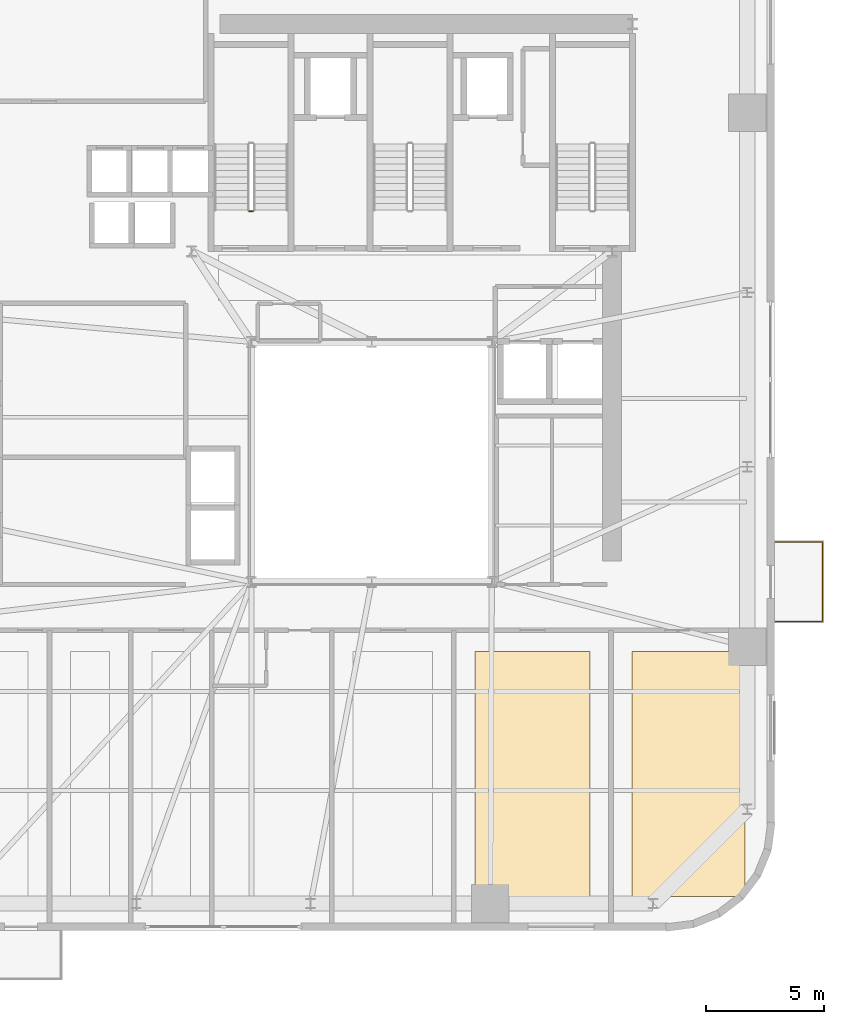
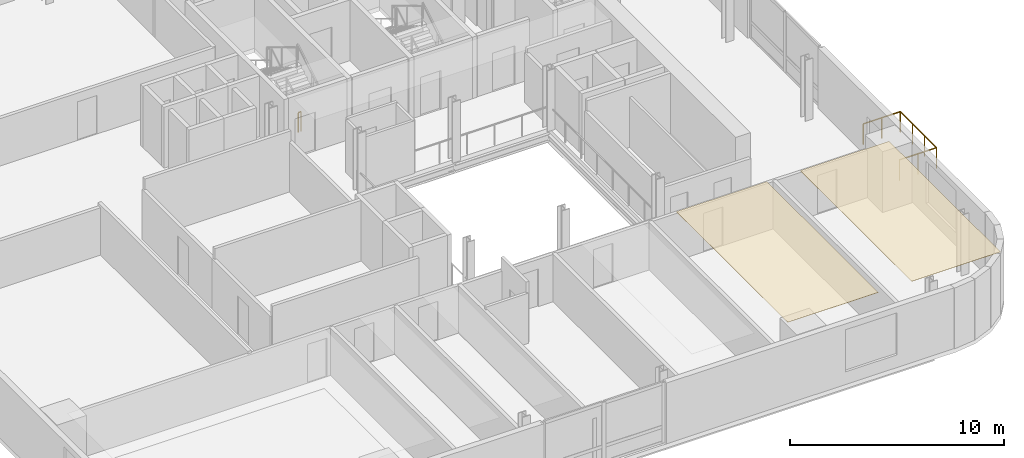
# One storey, part 11 of 14: 2 coverings, 2 railings.
"""IFC4 building model written with IfcOpenShell, lengths in metres."""

from ifc_helpers import new_model, si_unit, direction, frame, origin, origin_2d, place, context, subcontext, project, spatial, polyline, rectangle, outline, extrude, source, transform, mapped, material, layer, layer_set, type_object, element, save


model = new_model("IFC4")

# Units and contexts
model_context = context("Model", 3, precision=1e-05, world=origin(), true_north=direction((0.0, 1.0)))
body_context = subcontext(model_context, "Body", "Model", "MODEL_VIEW")
ifc_project = project(units=[si_unit("LENGTHUNIT", "METRE"), si_unit("AREAUNIT", "SQUARE_METRE"), si_unit("VOLUMEUNIT", "CUBIC_METRE"), si_unit("PLANEANGLEUNIT", "RADIAN"), si_unit("MASSUNIT", "GRAM", prefix="KILO")], contexts=[model_context])

# Site, building, storey
site_placement = place(None, origin())
site = spatial("IfcSite", under=ifc_project, at=site_placement, CompositionType="ELEMENT")
building_placement = place(site_placement, origin())
building = spatial("IfcBuilding", under=site, at=building_placement, Name="Vardaveli Station Tower", CompositionType="ELEMENT")
storey_placement = place(building_placement, frame((0.0, 0.0, 111.300048828125)))
storey = spatial("IfcBuildingStorey", under=building, at=storey_placement, Name="L28", CompositionType="ELEMENT", Elevation=111.300048828125)

# Coverings
ifc_material_1 = material(Name="Perforated acoustic mineral ceiling")
ifc_layer = layer(ifc_material_1, 0.02001953125, Name="Perforated acoustic mineral ceiling")
ifc_layer_set = layer_set([ifc_layer], Name="Perforated acoustic mineral ceiling")
covering_type = type_object("IfcCoveringType", Name="COV-CEIL-AC20", PredefinedType="CEILING", material=ifc_layer_set)
covering_1_placement = place(storey_placement, frame((0.0, 0.0, 3.445068359375)))
element("IfcCovering", 1, at=covering_1_placement, inside=storey, type_object=covering_type, Name="CEIL-L28-5", PredefinedType="CEILING", context=body_context, shape_type="SweptSolid", body=[
    extrude(outline(polyline([(40.685302734375, 3.25), (45.564208984375, 3.25), (45.564208984375, 13.64990234375), (40.685302734375, 13.64990234375), (40.685302734375, 3.25)])), origin(), (0.0, 0.0, 1.0), 0.019775390625),
])
covering_2_placement = place(storey_placement, frame((0.0, 0.0, 3.445068359375)))
element("IfcCovering", 2, at=covering_2_placement, inside=storey, type_object=covering_type, Name="CEIL-L28-6", PredefinedType="CEILING", context=body_context, shape_type="SweptSolid", body=[
    extrude(outline(polyline([(47.3642578125, 3.25), (52.14990234375, 3.25), (52.14990234375, 13.64990234375), (47.3642578125, 13.64990234375), (47.3642578125, 3.25)])), origin(), (0.0, 0.0, 1.0), 0.019775390625),
])

# Railings
ifc_material_2 = material(Name="Laminated glass and stainless steel balustrade", Category="steel")
railing_type_1 = type_object("IfcRailingType", Name="RL-BAL-1200", PredefinedType="BALUSTRADE", material=ifc_material_2)
shared_shape_1 = source(origin(), body_context, "Body", "SweptSolid", [
    extrude(rectangle(XDim=0.048095703125, YDim=0.048095703125, at=origin_2d()), frame((0.0, 0.0, 1.17578125), z_axis=(1.0, 0.0, 0.0), x_axis=(0.0, 1.0, 0.0)), (0.0, 0.0, 1.0), 2.0),
    extrude(rectangle(XDim=0.048095703125, YDim=0.048095703125, at=origin_2d()), frame((2.0, 0.0, 1.17578125), z_axis=(0.0, 1.0, 0.0), x_axis=(-1.0, 0.0, 0.0)), (0.0, 0.0, 1.0), 3.3798828125),
    extrude(rectangle(XDim=0.048095703125, YDim=0.048095703125, at=origin_2d()), frame((2.0, 3.3798828125, 1.17578125), z_axis=(-1.0, 0.0, 0.0), x_axis=(0.0, -1.0, 0.0)), (0.0, 0.0, 1.0), 2.0),
    extrude(rectangle(XDim=0.0419921875, YDim=0.0419921875, at=origin_2d()), origin(), (0.0, 0.0, 1.0), 1.15185546875),
    extrude(rectangle(XDim=0.0419921875, YDim=0.0419921875, at=origin_2d()), frame((1.0, 0.0, 0.0)), (0.0, 0.0, 1.0), 1.15185546875),
    extrude(rectangle(XDim=0.0419921875, YDim=0.0419921875, at=origin_2d()), frame((2.0, 0.0, 0.0)), (0.0, 0.0, 1.0), 1.15185546875),
    extrude(rectangle(XDim=0.0419921875, YDim=0.0419921875, at=origin_2d()), frame((2.0, 1.126708984375, 0.0)), (0.0, 0.0, 1.0), 1.15185546875),
    extrude(rectangle(XDim=0.0419921875, YDim=0.0419921875, at=origin_2d()), frame((2.0, 2.253173828125, 0.0)), (0.0, 0.0, 1.0), 1.15185546875),
    extrude(rectangle(XDim=0.0419921875, YDim=0.0419921875, at=origin_2d()), frame((2.0, 3.3798828125, 0.0)), (0.0, 0.0, 1.0), 1.15185546875),
    extrude(rectangle(XDim=0.0419921875, YDim=0.0419921875, at=origin_2d()), frame((1.0, 3.3798828125, 0.0)), (0.0, 0.0, 1.0), 1.15185546875),
    extrude(rectangle(XDim=0.0419921875, YDim=0.0419921875, at=origin_2d()), frame((0.0, 3.3798828125, 0.0)), (0.0, 0.0, 1.0), 1.15185546875),
])
railing_1_placement = place(storey_placement, frame((53.43994140625, 14.92041015625, 0.0)))
element("IfcRailing", 3, at=railing_1_placement, inside=storey, type_object=railing_type_1, Name="RL-LOG-L28-04", PredefinedType="BALUSTRADE", context=body_context, shape_type="MappedRepresentation", body=[
    mapped(shared_shape_1, transform((0.0, 0.0, 0.0), scale=1.0)),
])
ifc_material_3 = material(Name="Brushed AISI 316 stainless steel", Category="steel")
railing_type_2 = type_object("IfcRailingType", Name="RL-GUARD-1150", PredefinedType="GUARDRAIL", material=ifc_material_3)
shared_shape_2 = source(origin(), body_context, "Body", "SweptSolid", [
    extrude(rectangle(XDim=0.048095703125, YDim=0.048095703125, at=origin_2d()), frame((0.0, 0.0, 1.1259765625), z_axis=(-1.0, 0.0, 0.0), x_axis=(0.0, -1.0, 0.0)), (0.0, 0.0, 1.0), 0.14990234375),
    extrude(rectangle(XDim=0.0419921875, YDim=0.0419921875, at=origin_2d()), origin(), (0.0, 0.0, 1.0), 1.101806640625),
    extrude(rectangle(XDim=0.0419921875, YDim=0.0419921875, at=origin_2d()), frame((-0.14990234375, 0.0, 0.0)), (0.0, 0.0, 1.0), 1.101806640625),
])
railing_2_placement = place(storey_placement, frame((31.25, 32.35009765625, 0.0)))
element("IfcRailing", 4, at=railing_2_placement, inside=storey, type_object=railing_type_2, Name="L28 ST-1 stair guard 4", PredefinedType="GUARDRAIL", context=body_context, shape_type="MappedRepresentation", body=[
    mapped(shared_shape_2, transform((0.0, 0.0, 0.0), scale=1.0)),
])

save(model, "model.ifc")
